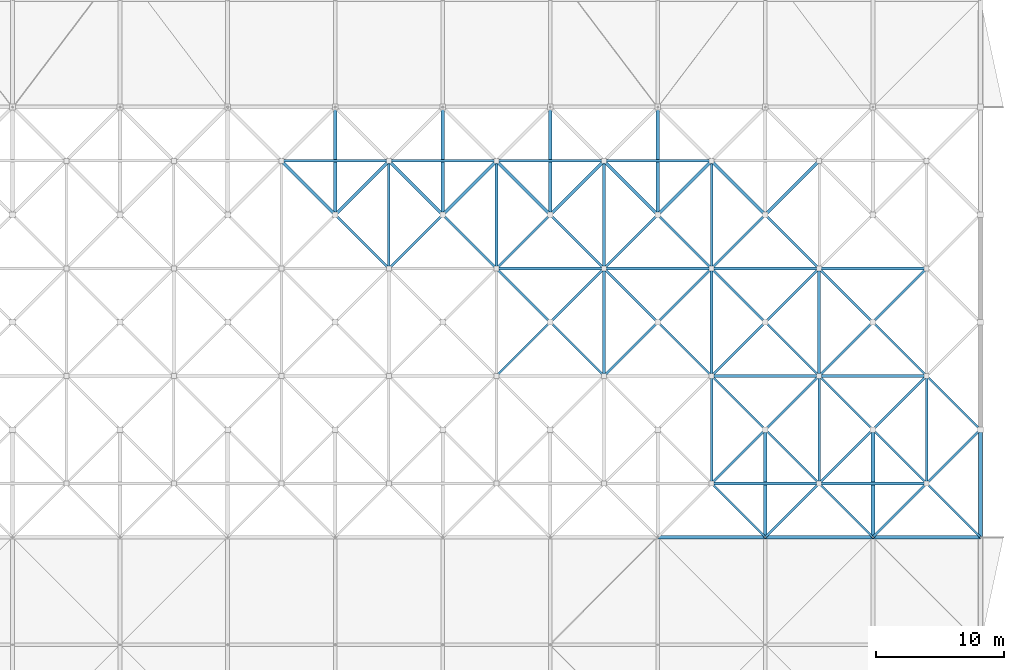
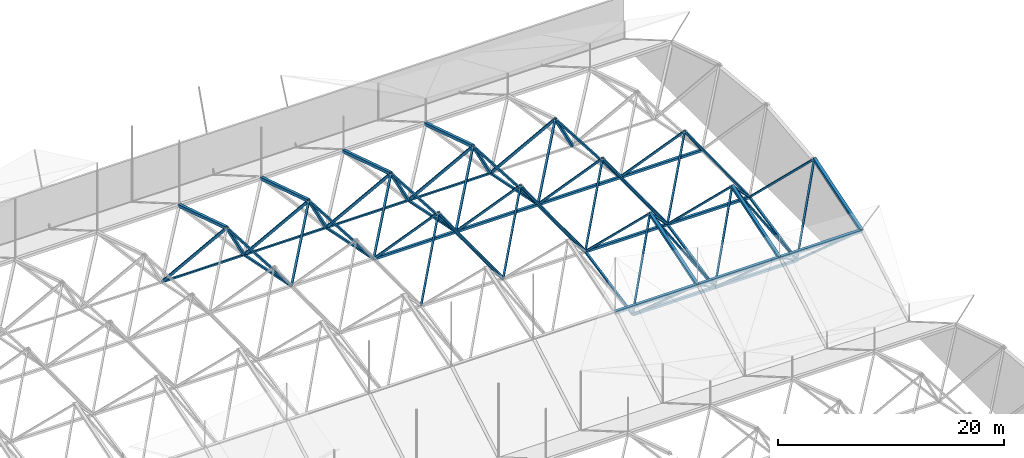
# One storey, part 15 of 111: 82 members.
"""IFC4 building model written with IfcOpenShell, lengths in metres."""

from ifc_helpers import new_model, si_unit, direction, frame, origin, origin_2d, place, context, subcontext, project, spatial, hollow_rectangle, extrude, material, material_profile, profile_set, type_object, element, save


model = new_model("IFC4")

# Units and contexts
model_context = context("Model", 3, precision=1e-05, world=origin(), true_north=direction((0.0, 1.0)))
body_context = subcontext(model_context, "Body", "Model", "MODEL_VIEW")
ifc_project = project(units=[si_unit("LENGTHUNIT", "METRE"), si_unit("AREAUNIT", "SQUARE_METRE"), si_unit("VOLUMEUNIT", "CUBIC_METRE"), si_unit("PLANEANGLEUNIT", "RADIAN"), si_unit("MASSUNIT", "GRAM", prefix="KILO")], contexts=[model_context])

# Site, building, storey
site_placement = place(None, origin())
site = spatial("IfcSite", under=ifc_project, at=site_placement, CompositionType="ELEMENT")
building_placement = place(site_placement, origin())
building = spatial("IfcBuilding", under=site, at=building_placement, Name="Rain Tree Exposition and Congress Centre", CompositionType="ELEMENT")
storey_placement = place(building_placement, frame((0.0, 0.0, 19.5)))
storey = spatial("IfcBuildingStorey", under=building, at=storey_placement, Name="RF", CompositionType="ELEMENT", Elevation=19.5)

# Members
ifc_material_1 = material(Name="Steel S355J2H", Category="steel")
ifc_material_profile_1 = material_profile(ifc_material_1, hollow_rectangle(XDim=0.175048828125, YDim=0.175048828125, WallThickness=0.006103515625, at=origin_2d()), Name="RHS 175x175x6")
ifc_profile_set_1 = profile_set([ifc_material_profile_1], Name="Steel S355J2H")
member_type_1 = type_object("IfcMemberType", Name="Steel brace member RHS 175x175x6", PredefinedType="BRACE", material=ifc_profile_set_1)
member_1_placement = place(storey_placement, frame((222.60009765625, 163.800048828125, 0.965087890625), z_axis=(0.573737145755, -0.573737145755, 0.584509516742), x_axis=(0.707106781187, 0.707106781187, 0.0)))
element("IfcMember", 1, at=member_1_placement, inside=storey, type_object=member_type_1, Name="Diagonal 865", PredefinedType="BRACE", context=body_context, shape_type="SweptSolid", body=[
    extrude(hollow_rectangle(XDim=0.175048828125, YDim=0.175048828125, WallThickness=0.006103515625, at=origin_2d()), origin(), (0.0, 0.0, 1.0), 7.3203125),
])
member_2_placement = place(storey_placement, frame((222.60009765625, 163.800048828125, 0.965087890625), z_axis=(0.459940759453, 0.459940759453, 0.759545255787), x_axis=(-0.707106781187, 0.707106781187, 0.0)))
element("IfcMember", 2, at=member_2_placement, inside=storey, type_object=member_type_1, Name="Diagonal 867", PredefinedType="BRACE", context=body_context, shape_type="SweptSolid", body=[
    extrude(hollow_rectangle(XDim=0.175048828125, YDim=0.175048828125, WallThickness=0.006103515625, at=origin_2d()), origin(), (0.0, 0.0, 1.0), 9.131591796875),
])
for number, where, z_axis, x_axis, name in (
    (3, (231.0, 163.800048828125, 0.965087890625), (-0.573737145755, -0.573737145755, 0.584509516742), (0.707106781187, -0.707106781187, 0.0), "Diagonal 870"),
    (4, (231.0, 163.800048828125, 0.965087890625), (0.573737145755, -0.573737145755, 0.584509516742), (0.707106781187, 0.707106781187, 0.0), "Diagonal 871"),
):
    element("IfcMember", number, at=place(storey_placement, frame(where, z_axis=z_axis, x_axis=x_axis)), inside=storey, type_object=member_type_1, Name=name, PredefinedType="BRACE", context=body_context, shape_type="SweptSolid", body=[
        extrude(hollow_rectangle(XDim=0.175048828125, YDim=0.175048828125, WallThickness=0.006103515625, at=origin_2d()), origin(), (0.0, 0.0, 1.0), 7.3203125),
    ])
for number, where, z_axis, x_axis, name in (
    (5, (231.0, 163.800048828125, 0.965087890625), (-0.459940759453, 0.459940759453, 0.759545255787), (-0.707106781187, -0.707106781187, 0.0), "Diagonal 872"),
    (6, (231.0, 163.800048828125, 0.965087890625), (0.459940759453, 0.459940759453, 0.759545255787), (-0.707106781187, 0.707106781187, 0.0), "Diagonal 873"),
):
    element("IfcMember", number, at=place(storey_placement, frame(where, z_axis=z_axis, x_axis=x_axis)), inside=storey, type_object=member_type_1, Name=name, PredefinedType="BRACE", context=body_context, shape_type="SweptSolid", body=[
        extrude(hollow_rectangle(XDim=0.175048828125, YDim=0.175048828125, WallThickness=0.006103515625, at=origin_2d()), origin(), (0.0, 0.0, 1.0), 9.131591796875),
    ])
member_3_placement = place(storey_placement, frame((239.39990234375, 163.800048828125, 0.965087890625), z_axis=(-0.573737145755, -0.573737145755, 0.584509516742), x_axis=(0.707106781187, -0.707106781187, 0.0)))
element("IfcMember", 7, at=member_3_placement, inside=storey, type_object=member_type_1, Name="Diagonal 876", PredefinedType="BRACE", context=body_context, shape_type="SweptSolid", body=[
    extrude(hollow_rectangle(XDim=0.175048828125, YDim=0.175048828125, WallThickness=0.006103515625, at=origin_2d()), origin(), (0.0, 0.0, 1.0), 7.3203125),
])
member_4_placement = place(storey_placement, frame((239.39990234375, 163.800048828125, 0.965087890625), z_axis=(0.573759517816, -0.573726167461, 0.584498332321), x_axis=(0.70708622964, 0.707127332136, 0.0)))
element("IfcMember", 8, at=member_4_placement, inside=storey, type_object=member_type_1, Name="Diagonal 877", PredefinedType="BRACE", context=body_context, shape_type="SweptSolid", body=[
    extrude(hollow_rectangle(XDim=0.175048828125, YDim=0.175048828125, WallThickness=0.006103515625, at=origin_2d()), origin(), (0.0, 0.0, 1.0), 7.320556640625),
])
for number, where, z_axis, x_axis, name in (
    (9, (239.39990234375, 163.800048828125, 0.965087890625), (-0.459940759453, 0.459940759453, 0.759545255787), (-0.707106781187, -0.707106781187, 0.0), "Diagonal 878"),
    (10, (239.39990234375, 163.800048828125, 0.965087890625), (0.459961839245, 0.459935103496, 0.75953591555), (-0.70708622964, 0.707127332136, 0.0), "Diagonal 879"),
):
    element("IfcMember", number, at=place(storey_placement, frame(where, z_axis=z_axis, x_axis=x_axis)), inside=storey, type_object=member_type_1, Name=name, PredefinedType="BRACE", context=body_context, shape_type="SweptSolid", body=[
        extrude(hollow_rectangle(XDim=0.175048828125, YDim=0.175048828125, WallThickness=0.006103515625, at=origin_2d()), origin(), (0.0, 0.0, 1.0), 9.131591796875),
    ])
for number, where, z_axis, x_axis, name in (
    (11, (205.800048828125, 172.199951171875, 2.68896484375), (0.494916318018, 0.494916318018, 0.714223827885), (-0.707106781187, 0.707106781187, 0.0), "Diagonal 926"),
    (12, (214.199951171875, 172.199951171875, 2.68896484375), (-0.494916318018, 0.494916318018, 0.714223827885), (-0.707106781187, -0.707106781187, 0.0), "Diagonal 931"),
    (13, (214.199951171875, 172.199951171875, 2.68896484375), (0.494916318018, 0.494916318018, 0.714223827885), (-0.707106781187, 0.707106781187, 0.0), "Diagonal 932"),
):
    element("IfcMember", number, at=place(storey_placement, frame(where, z_axis=z_axis, x_axis=x_axis)), inside=storey, type_object=member_type_1, Name=name, PredefinedType="BRACE", context=body_context, shape_type="SweptSolid", body=[
        extrude(hollow_rectangle(XDim=0.175048828125, YDim=0.175048828125, WallThickness=0.006103515625, at=origin_2d()), origin(), (0.0, 0.0, 1.0), 8.486083984375),
    ])
member_5_placement = place(storey_placement, frame((222.60009765625, 172.199951171875, 2.68896484375), z_axis=(0.531497919506, -0.531497919506, 0.65956040142), x_axis=(0.707106781187, 0.707106781187, 0.0)))
element("IfcMember", 14, at=member_5_placement, inside=storey, type_object=member_type_1, Name="Diagonal 936", PredefinedType="BRACE", context=body_context, shape_type="SweptSolid", body=[
    extrude(hollow_rectangle(XDim=0.175048828125, YDim=0.175048828125, WallThickness=0.006103515625, at=origin_2d()), origin(), (0.0, 0.0, 1.0), 7.902099609375),
])
member_6_placement = place(storey_placement, frame((222.60009765625, 172.199951171875, 2.68896484375), z_axis=(-0.494938039954, 0.494909271177, 0.714213658445), x_axis=(-0.70708622964, -0.707127332136, 0.0)))
element("IfcMember", 15, at=member_6_placement, inside=storey, type_object=member_type_1, Name="Diagonal 937", PredefinedType="BRACE", context=body_context, shape_type="SweptSolid", body=[
    extrude(hollow_rectangle(XDim=0.175048828125, YDim=0.175048828125, WallThickness=0.006103515625, at=origin_2d()), origin(), (0.0, 0.0, 1.0), 8.486328125),
])
member_7_placement = place(storey_placement, frame((222.60009765625, 172.199951171875, 2.68896484375), z_axis=(0.494916318018, 0.494916318018, 0.714223827885), x_axis=(-0.707106781187, 0.707106781187, 0.0)))
element("IfcMember", 16, at=member_7_placement, inside=storey, type_object=member_type_1, Name="Diagonal 938", PredefinedType="BRACE", context=body_context, shape_type="SweptSolid", body=[
    extrude(hollow_rectangle(XDim=0.175048828125, YDim=0.175048828125, WallThickness=0.006103515625, at=origin_2d()), origin(), (0.0, 0.0, 1.0), 8.486083984375),
])
for number, where, z_axis, x_axis, name in (
    (17, (231.0, 172.199951171875, 2.68896484375), (-0.531497919506, -0.531497919506, 0.65956040142), (0.707106781187, -0.707106781187, 0.0), "Diagonal 941"),
    (18, (231.0, 172.199951171875, 2.68896484375), (0.531497919506, -0.531497919506, 0.65956040142), (0.707106781187, 0.707106781187, 0.0), "Diagonal 942"),
):
    element("IfcMember", number, at=place(storey_placement, frame(where, z_axis=z_axis, x_axis=x_axis)), inside=storey, type_object=member_type_1, Name=name, PredefinedType="BRACE", context=body_context, shape_type="SweptSolid", body=[
        extrude(hollow_rectangle(XDim=0.175048828125, YDim=0.175048828125, WallThickness=0.006103515625, at=origin_2d()), origin(), (0.0, 0.0, 1.0), 7.902099609375),
    ])
for number, where, z_axis, x_axis, name in (
    (19, (231.0, 172.199951171875, 2.68896484375), (-0.494916318018, 0.494916318018, 0.714223827885), (-0.707106781187, -0.707106781187, 0.0), "Diagonal 943"),
    (20, (231.0, 172.199951171875, 2.68896484375), (0.494916318018, 0.494916318018, 0.714223827885), (-0.707106781187, 0.707106781187, 0.0), "Diagonal 944"),
):
    element("IfcMember", number, at=place(storey_placement, frame(where, z_axis=z_axis, x_axis=x_axis)), inside=storey, type_object=member_type_1, Name=name, PredefinedType="BRACE", context=body_context, shape_type="SweptSolid", body=[
        extrude(hollow_rectangle(XDim=0.175048828125, YDim=0.175048828125, WallThickness=0.006103515625, at=origin_2d()), origin(), (0.0, 0.0, 1.0), 8.486083984375),
    ])
member_8_placement = place(storey_placement, frame((239.39990234375, 172.199951171875, 2.68896484375), z_axis=(-0.531497919506, -0.531497919506, 0.65956040142), x_axis=(0.707106781187, -0.707106781187, 0.0)))
element("IfcMember", 21, at=member_8_placement, inside=storey, type_object=member_type_1, Name="Diagonal 947", PredefinedType="BRACE", context=body_context, shape_type="SweptSolid", body=[
    extrude(hollow_rectangle(XDim=0.175048828125, YDim=0.175048828125, WallThickness=0.006103515625, at=origin_2d()), origin(), (0.0, 0.0, 1.0), 7.902099609375),
])
member_9_placement = place(storey_placement, frame((239.39990234375, 172.199951171875, 2.68896484375), z_axis=(0.531520086899, -0.531489191753, 0.659549570747), x_axis=(0.70708622964, 0.707127332136, 0.0)))
element("IfcMember", 22, at=member_9_placement, inside=storey, type_object=member_type_1, Name="Diagonal 948", PredefinedType="BRACE", context=body_context, shape_type="SweptSolid", body=[
    extrude(hollow_rectangle(XDim=0.175048828125, YDim=0.175048828125, WallThickness=0.006103515625, at=origin_2d()), origin(), (0.0, 0.0, 1.0), 7.90234375),
])
member_10_placement = place(storey_placement, frame((239.39990234375, 172.199951171875, 2.68896484375), z_axis=(-0.494916318018, 0.494916318018, 0.714223827885), x_axis=(-0.707106781187, -0.707106781187, 0.0)))
element("IfcMember", 23, at=member_10_placement, inside=storey, type_object=member_type_1, Name="Diagonal 949", PredefinedType="BRACE", context=body_context, shape_type="SweptSolid", body=[
    extrude(hollow_rectangle(XDim=0.175048828125, YDim=0.175048828125, WallThickness=0.006103515625, at=origin_2d()), origin(), (0.0, 0.0, 1.0), 8.486083984375),
])
ifc_material_2 = material(Name="Steel S355J2H", Category="steel")
ifc_material_profile_2 = material_profile(ifc_material_2, hollow_rectangle(XDim=0.199951171875, YDim=0.199951171875, WallThickness=0.009033203125, at=origin_2d()), Name="RHS 200x200x9")
ifc_profile_set_2 = profile_set([ifc_material_profile_2], Name="Steel S355J2H")
member_type_2 = type_object("IfcMemberType", Name="Steel brace member RHS 200x200x9", PredefinedType="BRACE", material=ifc_profile_set_2)
member_11_placement = place(storey_placement, frame((197.39990234375, 180.60009765625, 2.68896484375), z_axis=(-0.531497919506, 0.531497919506, 0.65956040142), x_axis=(-0.707106781187, -0.707106781187, 0.0)))
element("IfcMember", 24, at=member_11_placement, inside=storey, type_object=member_type_2, Name="Diagonal 990", PredefinedType="BRACE", context=body_context, shape_type="SweptSolid", body=[
    extrude(hollow_rectangle(XDim=0.199951171875, YDim=0.199951171875, WallThickness=0.009033203125, at=origin_2d()), origin(), (0.0, 0.0, 1.0), 7.902099609375),
])
member_12_placement = place(storey_placement, frame((197.39990234375, 180.60009765625, 2.68896484375), z_axis=(0.531520086899, 0.531489191753, 0.659549570747), x_axis=(-0.70708622964, 0.707127332136, 0.0)))
element("IfcMember", 25, at=member_12_placement, inside=storey, type_object=member_type_2, Name="Diagonal 991", PredefinedType="BRACE", context=body_context, shape_type="SweptSolid", body=[
    extrude(hollow_rectangle(XDim=0.199951171875, YDim=0.199951171875, WallThickness=0.009033203125, at=origin_2d()), origin(), (0.0, 0.0, 1.0), 7.90234375),
])
member_13_placement = place(storey_placement, frame((205.800048828125, 180.60009765625, 2.68896484375), z_axis=(0.494909271177, -0.494938039954, 0.714213658445), x_axis=(0.707127332136, 0.70708622964, 0.0)))
element("IfcMember", 26, at=member_13_placement, inside=storey, type_object=member_type_2, Name="Diagonal 995", PredefinedType="BRACE", context=body_context, shape_type="SweptSolid", body=[
    extrude(hollow_rectangle(XDim=0.199951171875, YDim=0.199951171875, WallThickness=0.009033203125, at=origin_2d()), origin(), (0.0, 0.0, 1.0), 8.486328125),
])
for number, where, z_axis, x_axis, name in (
    (27, (205.800048828125, 180.60009765625, 2.68896484375), (-0.531497919506, 0.531497919506, 0.65956040142), (-0.707106781187, -0.707106781187, 0.0), "Diagonal 996"),
    (28, (205.800048828125, 180.60009765625, 2.68896484375), (0.531497919506, 0.531497919506, 0.65956040142), (-0.707106781187, 0.707106781187, 0.0), "Diagonal 997"),
):
    element("IfcMember", number, at=place(storey_placement, frame(where, z_axis=z_axis, x_axis=x_axis)), inside=storey, type_object=member_type_2, Name=name, PredefinedType="BRACE", context=body_context, shape_type="SweptSolid", body=[
        extrude(hollow_rectangle(XDim=0.199951171875, YDim=0.199951171875, WallThickness=0.009033203125, at=origin_2d()), origin(), (0.0, 0.0, 1.0), 7.902099609375),
    ])
for number, where, z_axis, x_axis, name in (
    (29, (214.199951171875, 180.60009765625, 2.68896484375), (-0.494909271177, -0.494938039954, 0.714213658445), (0.707127332136, -0.70708622964, 0.0), "Diagonal 1000"),
    (30, (214.199951171875, 180.60009765625, 2.68896484375), (0.494909271177, -0.494938039954, 0.714213658445), (0.707127332136, 0.70708622964, 0.0), "Diagonal 1001"),
):
    element("IfcMember", number, at=place(storey_placement, frame(where, z_axis=z_axis, x_axis=x_axis)), inside=storey, type_object=member_type_2, Name=name, PredefinedType="BRACE", context=body_context, shape_type="SweptSolid", body=[
        extrude(hollow_rectangle(XDim=0.199951171875, YDim=0.199951171875, WallThickness=0.009033203125, at=origin_2d()), origin(), (0.0, 0.0, 1.0), 8.486328125),
    ])
for number, where, z_axis, x_axis, name in (
    (31, (214.199951171875, 180.60009765625, 2.68896484375), (-0.531497919506, 0.531497919506, 0.65956040142), (-0.707106781187, -0.707106781187, 0.0), "Diagonal 1002"),
    (32, (214.199951171875, 180.60009765625, 2.68896484375), (0.531497919506, 0.531497919506, 0.65956040142), (-0.707106781187, 0.707106781187, 0.0), "Diagonal 1003"),
):
    element("IfcMember", number, at=place(storey_placement, frame(where, z_axis=z_axis, x_axis=x_axis)), inside=storey, type_object=member_type_2, Name=name, PredefinedType="BRACE", context=body_context, shape_type="SweptSolid", body=[
        extrude(hollow_rectangle(XDim=0.199951171875, YDim=0.199951171875, WallThickness=0.009033203125, at=origin_2d()), origin(), (0.0, 0.0, 1.0), 7.902099609375),
    ])
for number, where, z_axis, x_axis, name in (
    (33, (222.60009765625, 180.60009765625, 2.68896484375), (-0.494930993004, -0.494930993004, 0.71420348944), (0.707106781187, -0.707106781187, 0.0), "Diagonal 1006"),
    (34, (222.60009765625, 180.60009765625, 2.68896484375), (0.494909271177, -0.494938039954, 0.714213658445), (0.707127332136, 0.70708622964, 0.0), "Diagonal 1007"),
):
    element("IfcMember", number, at=place(storey_placement, frame(where, z_axis=z_axis, x_axis=x_axis)), inside=storey, type_object=member_type_2, Name=name, PredefinedType="BRACE", context=body_context, shape_type="SweptSolid", body=[
        extrude(hollow_rectangle(XDim=0.199951171875, YDim=0.199951171875, WallThickness=0.009033203125, at=origin_2d()), origin(), (0.0, 0.0, 1.0), 8.486328125),
    ])
member_14_placement = place(storey_placement, frame((222.60009765625, 180.60009765625, 2.68896484375), z_axis=(-0.531520086899, 0.531489191753, 0.659549570747), x_axis=(-0.70708622964, -0.707127332136, 0.0)))
element("IfcMember", 35, at=member_14_placement, inside=storey, type_object=member_type_2, Name="Diagonal 1008", PredefinedType="BRACE", context=body_context, shape_type="SweptSolid", body=[
    extrude(hollow_rectangle(XDim=0.199951171875, YDim=0.199951171875, WallThickness=0.009033203125, at=origin_2d()), origin(), (0.0, 0.0, 1.0), 7.90234375),
])
member_15_placement = place(storey_placement, frame((222.60009765625, 180.60009765625, 2.68896484375), z_axis=(0.531497919506, 0.531497919506, 0.65956040142), x_axis=(-0.707106781187, 0.707106781187, 0.0)))
element("IfcMember", 36, at=member_15_placement, inside=storey, type_object=member_type_2, Name="Diagonal 1009", PredefinedType="BRACE", context=body_context, shape_type="SweptSolid", body=[
    extrude(hollow_rectangle(XDim=0.199951171875, YDim=0.199951171875, WallThickness=0.009033203125, at=origin_2d()), origin(), (0.0, 0.0, 1.0), 7.902099609375),
])
for number, where, z_axis, x_axis, name in (
    (37, (231.0, 180.60009765625, 2.68896484375), (-0.494909271177, -0.494938039954, 0.714213658445), (0.707127332136, -0.70708622964, 0.0), "Diagonal 1012"),
    (38, (231.0, 180.60009765625, 2.68896484375), (0.494909271177, -0.494938039954, 0.714213658445), (0.707127332136, 0.70708622964, 0.0), "Diagonal 1013"),
):
    element("IfcMember", number, at=place(storey_placement, frame(where, z_axis=z_axis, x_axis=x_axis)), inside=storey, type_object=member_type_2, Name=name, PredefinedType="BRACE", context=body_context, shape_type="SweptSolid", body=[
        extrude(hollow_rectangle(XDim=0.199951171875, YDim=0.199951171875, WallThickness=0.009033203125, at=origin_2d()), origin(), (0.0, 0.0, 1.0), 8.486328125),
    ])
member_16_placement = place(storey_placement, frame((231.0, 180.60009765625, 2.68896484375), z_axis=(-0.531497919506, 0.531497919506, 0.65956040142), x_axis=(-0.707106781187, -0.707106781187, 0.0)))
element("IfcMember", 39, at=member_16_placement, inside=storey, type_object=member_type_2, Name="Diagonal 1014", PredefinedType="BRACE", context=body_context, shape_type="SweptSolid", body=[
    extrude(hollow_rectangle(XDim=0.199951171875, YDim=0.199951171875, WallThickness=0.009033203125, at=origin_2d()), origin(), (0.0, 0.0, 1.0), 7.902099609375),
])
member_17_placement = place(storey_placement, frame((239.39990234375, 180.60009765625, 2.68896484375), z_axis=(-0.494909271177, -0.494938039954, 0.714213658445), x_axis=(0.707127332136, -0.70708622964, 0.0)))
element("IfcMember", 40, at=member_17_placement, inside=storey, type_object=member_type_2, Name="Diagonal 1018", PredefinedType="BRACE", context=body_context, shape_type="SweptSolid", body=[
    extrude(hollow_rectangle(XDim=0.199951171875, YDim=0.199951171875, WallThickness=0.009033203125, at=origin_2d()), origin(), (0.0, 0.0, 1.0), 8.486328125),
])
ifc_material_3 = material(Name="Steel S355J2H", Category="steel")
ifc_material_profile_3 = material_profile(ifc_material_3, hollow_rectangle(XDim=0.25, YDim=0.25, WallThickness=0.006103515625, at=origin_2d()), Name="RHS 250x250x6")
ifc_profile_set_3 = profile_set([ifc_material_profile_3], Name="Steel S355J2H")
member_type_3 = type_object("IfcMemberType", Name="Steel brace member RHS 250x250x6", PredefinedType="BRACE", material=ifc_profile_set_3)
for number, where, z_axis, x_axis, name in (
    (41, (189.0, 189.0, 0.965087890625), (0.459940759453, -0.459940759453, 0.759545255787), (0.707106781187, 0.707106781187, 0.0), "Diagonal 1054"),
    (42, (197.39990234375, 189.0, 0.965087890625), (-0.459940759453, -0.459940759453, 0.759545255787), (0.707106781187, -0.707106781187, 0.0), "Diagonal 1059"),
    (43, (197.39990234375, 189.0, 0.965087890625), (0.459961839245, -0.459935103496, 0.75953591555), (0.70708622964, 0.707127332136, 0.0), "Diagonal 1060"),
    (44, (205.800048828125, 189.0, 0.965087890625), (-0.459940759453, -0.459940759453, 0.759545255787), (0.707106781187, -0.707106781187, 0.0), "Diagonal 1065"),
    (45, (205.800048828125, 189.0, 0.965087890625), (0.459940759453, -0.459940759453, 0.759545255787), (0.707106781187, 0.707106781187, 0.0), "Diagonal 1066"),
    (46, (214.199951171875, 189.0, 0.965087890625), (-0.459940759453, -0.459940759453, 0.759545255787), (0.707106781187, -0.707106781187, 0.0), "Diagonal 1071"),
    (47, (214.199951171875, 189.0, 0.965087890625), (0.459940759453, -0.459940759453, 0.759545255787), (0.707106781187, 0.707106781187, 0.0), "Diagonal 1072"),
    (48, (222.60009765625, 189.0, 0.965087890625), (-0.459961839245, -0.459935103496, 0.75953591555), (0.70708622964, -0.707127332136, 0.0), "Diagonal 1077"),
    (49, (222.60009765625, 189.0, 0.965087890625), (0.459940759453, -0.459940759453, 0.759545255787), (0.707106781187, 0.707106781187, 0.0), "Diagonal 1078"),
    (50, (231.0, 189.0, 0.965087890625), (-0.459940759453, -0.459940759453, 0.759545255787), (0.707106781187, -0.707106781187, 0.0), "Diagonal 1083"),
):
    element("IfcMember", number, at=place(storey_placement, frame(where, z_axis=z_axis, x_axis=x_axis)), inside=storey, type_object=member_type_3, Name=name, PredefinedType="BRACE", context=body_context, shape_type="SweptSolid", body=[
        extrude(hollow_rectangle(XDim=0.25, YDim=0.25, WallThickness=0.006103515625, at=origin_2d()), origin(), (0.0, 0.0, 1.0), 9.131591796875),
    ])
ifc_material_4 = material(Name="Steel S355J2H", Category="steel")
ifc_material_profile_4 = material_profile(ifc_material_4, hollow_rectangle(XDim=0.175048828125, YDim=0.175048828125, WallThickness=0.006103515625, at=origin_2d()), Name="RHS 175x175x6")
ifc_profile_set_4 = profile_set([ifc_material_profile_4], Name="Steel S355J2H")
member_type_4 = type_object("IfcMemberType", Name="Steel chord member RHS 175x175x6", PredefinedType="CHORD", material=ifc_profile_set_4)
member_18_placement = place(storey_placement, frame((189.0, 189.0, 0.965087890625), z_axis=(1.0, 0.0, 0.0), x_axis=(0.0, 1.0, 0.0)))
element("IfcMember", 51, at=member_18_placement, inside=storey, type_object=member_type_4, Name="Bottom chord 1057", PredefinedType="CHORD", context=body_context, shape_type="SweptSolid", body=[
    extrude(hollow_rectangle(XDim=0.175048828125, YDim=0.175048828125, WallThickness=0.006103515625, at=origin_2d()), origin(), (0.0, 0.0, 1.0), 8.39990234375),
])
member_19_placement = place(storey_placement, frame((197.39990234375, 189.0, 0.965087890625), z_axis=(1.0, 0.0, 0.0), x_axis=(0.0, 1.0, 0.0)))
element("IfcMember", 52, at=member_19_placement, inside=storey, type_object=member_type_4, Name="Bottom chord 1063", PredefinedType="CHORD", context=body_context, shape_type="SweptSolid", body=[
    extrude(hollow_rectangle(XDim=0.175048828125, YDim=0.175048828125, WallThickness=0.006103515625, at=origin_2d()), origin(), (0.0, 0.0, 1.0), 8.400146484375),
])
member_20_placement = place(storey_placement, frame((205.800048828125, 189.0, 0.965087890625), z_axis=(1.0, 0.0, 0.0), x_axis=(0.0, 1.0, 0.0)))
element("IfcMember", 53, at=member_20_placement, inside=storey, type_object=member_type_4, Name="Bottom chord 1069", PredefinedType="CHORD", context=body_context, shape_type="SweptSolid", body=[
    extrude(hollow_rectangle(XDim=0.175048828125, YDim=0.175048828125, WallThickness=0.006103515625, at=origin_2d()), origin(), (0.0, 0.0, 1.0), 8.39990234375),
])
member_21_placement = place(storey_placement, frame((214.199951171875, 189.0, 0.965087890625), z_axis=(1.0, 0.0, 0.0), x_axis=(0.0, 1.0, 0.0)))
element("IfcMember", 54, at=member_21_placement, inside=storey, type_object=member_type_4, Name="Bottom chord 1075", PredefinedType="CHORD", context=body_context, shape_type="SweptSolid", body=[
    extrude(hollow_rectangle(XDim=0.175048828125, YDim=0.175048828125, WallThickness=0.006103515625, at=origin_2d()), origin(), (0.0, 0.0, 1.0), 8.400146484375),
])
ifc_material_5 = material(Name="Steel S355J2H", Category="steel")
ifc_material_profile_5 = material_profile(ifc_material_5, hollow_rectangle(XDim=0.199951171875, YDim=0.199951171875, WallThickness=0.009033203125, at=origin_2d()), Name="RHS 200x200x9")
ifc_profile_set_5 = profile_set([ifc_material_profile_5], Name="Steel S355J2H")
member_type_5 = type_object("IfcMemberType", Name="Steel chord member RHS 200x200x9", PredefinedType="CHORD", material=ifc_profile_set_5)
for number, where, z_axis, x_axis, name in (
    (55, (222.60009765625, 163.800048828125, 0.965087890625), (0.0, 0.979583871149, 0.20103591566), (-1.0, 0.0, 0.0), "Bottom chord 869"),
    (56, (231.0, 163.800048828125, 0.965087890625), (0.0, 0.979583871149, 0.20103591566), (-1.0, 0.0, 0.0), "Bottom chord 875"),
    (57, (239.39990234375, 163.800048828125, 0.965087890625), (0.0, 0.979583871149, 0.20103591566), (-1.0, 0.0, 0.0), "Bottom chord 880"),
    (58, (197.39990234375, 180.60009765625, 2.68896484375), (0.0, 0.979583871149, -0.20103591566), (-1.0, 0.0, 0.0), "Bottom chord 993"),
    (59, (205.800048828125, 180.60009765625, 2.68896484375), (0.0, 0.979583871149, -0.20103591566), (-1.0, 0.0, 0.0), "Bottom chord 999"),
    (60, (214.199951171875, 180.60009765625, 2.68896484375), (0.0, 0.979583871149, -0.20103591566), (-1.0, 0.0, 0.0), "Bottom chord 1005"),
    (61, (222.60009765625, 180.60009765625, 2.68896484375), (0.0, 0.979583871149, -0.20103591566), (-1.0, 0.0, 0.0), "Bottom chord 1011"),
):
    element("IfcMember", number, at=place(storey_placement, frame(where, z_axis=z_axis, x_axis=x_axis)), inside=storey, type_object=member_type_5, Name=name, PredefinedType="CHORD", context=body_context, shape_type="SweptSolid", body=[
        extrude(hollow_rectangle(XDim=0.199951171875, YDim=0.199951171875, WallThickness=0.009033203125, at=origin_2d()), origin(), (0.0, 0.0, 1.0), 8.574951171875),
    ])
ifc_material_6 = material(Name="Steel S355J2H", Category="steel")
ifc_material_profile_6 = material_profile(ifc_material_6, hollow_rectangle(XDim=0.25, YDim=0.25, WallThickness=0.006103515625, at=origin_2d()), Name="RHS 250x250x6")
ifc_profile_set_6 = profile_set([ifc_material_profile_6], Name="Steel S355J2H")
member_type_6 = type_object("IfcMemberType", Name="Steel chord member RHS 250x250x6", PredefinedType="CHORD", material=ifc_profile_set_6)
for number, where, z_axis, x_axis, name in (
    (62, (222.60009765625, 163.800048828125, 0.965087890625), (1.0, 0.0, 0.0), (0.0, 1.0, 0.0), "Bottom chord 868"),
    (63, (231.0, 163.800048828125, 0.965087890625), (1.0, 0.0, 0.0), (0.0, 1.0, 0.0), "Bottom chord 874"),
):
    element("IfcMember", number, at=place(storey_placement, frame(where, z_axis=z_axis, x_axis=x_axis)), inside=storey, type_object=member_type_6, Name=name, PredefinedType="CHORD", context=body_context, shape_type="SweptSolid", body=[
        extrude(hollow_rectangle(XDim=0.25, YDim=0.25, WallThickness=0.006103515625, at=origin_2d()), origin(), (0.0, 0.0, 1.0), 8.39990234375),
    ])
member_22_placement = place(storey_placement, frame((214.199951171875, 172.199951171875, 2.68896484375), z_axis=(0.0, 1.0, 0.0), x_axis=(-1.0, 0.0, 0.0)))
element("IfcMember", 64, at=member_22_placement, inside=storey, type_object=member_type_6, Name="Bottom chord 934", PredefinedType="CHORD", context=body_context, shape_type="SweptSolid", body=[
    extrude(hollow_rectangle(XDim=0.25, YDim=0.25, WallThickness=0.006103515625, at=origin_2d()), origin(), (0.0, 0.0, 1.0), 8.400146484375),
])
member_23_placement = place(storey_placement, frame((222.60009765625, 172.199951171875, 2.68896484375), z_axis=(1.0, 0.0, 0.0), x_axis=(0.0, 1.0, 0.0)))
element("IfcMember", 65, at=member_23_placement, inside=storey, type_object=member_type_6, Name="Bottom chord 939", PredefinedType="CHORD", context=body_context, shape_type="SweptSolid", body=[
    extrude(hollow_rectangle(XDim=0.25, YDim=0.25, WallThickness=0.006103515625, at=origin_2d()), origin(), (0.0, 0.0, 1.0), 8.39990234375),
])
member_24_placement = place(storey_placement, frame((222.60009765625, 172.199951171875, 2.68896484375), z_axis=(0.0, 1.0, 0.0), x_axis=(-1.0, 0.0, 0.0)))
element("IfcMember", 66, at=member_24_placement, inside=storey, type_object=member_type_6, Name="Bottom chord 940", PredefinedType="CHORD", context=body_context, shape_type="SweptSolid", body=[
    extrude(hollow_rectangle(XDim=0.25, YDim=0.25, WallThickness=0.006103515625, at=origin_2d()), origin(), (0.0, 0.0, 1.0), 8.400146484375),
])
member_25_placement = place(storey_placement, frame((231.0, 172.199951171875, 2.68896484375), z_axis=(1.0, 0.0, 0.0), x_axis=(0.0, 1.0, 0.0)))
element("IfcMember", 67, at=member_25_placement, inside=storey, type_object=member_type_6, Name="Bottom chord 945", PredefinedType="CHORD", context=body_context, shape_type="SweptSolid", body=[
    extrude(hollow_rectangle(XDim=0.25, YDim=0.25, WallThickness=0.006103515625, at=origin_2d()), origin(), (0.0, 0.0, 1.0), 8.39990234375),
])
member_26_placement = place(storey_placement, frame((231.0, 172.199951171875, 2.68896484375), z_axis=(0.0, 1.0, 0.0), x_axis=(-1.0, 0.0, 0.0)))
element("IfcMember", 68, at=member_26_placement, inside=storey, type_object=member_type_6, Name="Bottom chord 946", PredefinedType="CHORD", context=body_context, shape_type="SweptSolid", body=[
    extrude(hollow_rectangle(XDim=0.25, YDim=0.25, WallThickness=0.006103515625, at=origin_2d()), origin(), (0.0, 0.0, 1.0), 8.400146484375),
])
member_27_placement = place(storey_placement, frame((205.800048828125, 180.60009765625, 2.68896484375), z_axis=(1.0, 0.0, 0.0), x_axis=(0.0, 1.0, 0.0)))
element("IfcMember", 69, at=member_27_placement, inside=storey, type_object=member_type_6, Name="Bottom chord 998", PredefinedType="CHORD", context=body_context, shape_type="SweptSolid", body=[
    extrude(hollow_rectangle(XDim=0.25, YDim=0.25, WallThickness=0.006103515625, at=origin_2d()), origin(), (0.0, 0.0, 1.0), 8.39990234375),
])
member_28_placement = place(storey_placement, frame((214.199951171875, 180.60009765625, 2.68896484375), z_axis=(1.0, 0.0, 0.0), x_axis=(0.0, 1.0, 0.0)))
element("IfcMember", 70, at=member_28_placement, inside=storey, type_object=member_type_6, Name="Bottom chord 1004", PredefinedType="CHORD", context=body_context, shape_type="SweptSolid", body=[
    extrude(hollow_rectangle(XDim=0.25, YDim=0.25, WallThickness=0.006103515625, at=origin_2d()), origin(), (0.0, 0.0, 1.0), 8.400146484375),
])
for number, where, z_axis, x_axis, name in (
    (71, (222.60009765625, 180.60009765625, 2.68896484375), (1.0, 0.0, 0.0), (0.0, 1.0, 0.0), "Bottom chord 1010"),
    (72, (231.0, 180.60009765625, 2.68896484375), (1.0, 0.0, 0.0), (0.0, 1.0, 0.0), "Bottom chord 1016"),
):
    element("IfcMember", number, at=place(storey_placement, frame(where, z_axis=z_axis, x_axis=x_axis)), inside=storey, type_object=member_type_6, Name=name, PredefinedType="CHORD", context=body_context, shape_type="SweptSolid", body=[
        extrude(hollow_rectangle(XDim=0.25, YDim=0.25, WallThickness=0.006103515625, at=origin_2d()), origin(), (0.0, 0.0, 1.0), 8.39990234375),
    ])
ifc_material_7 = material(Name="Steel S355J2H", Category="steel")
ifc_material_profile_7 = material_profile(ifc_material_7, hollow_rectangle(XDim=0.300048828125, YDim=0.300048828125, WallThickness=0.009033203125, at=origin_2d()), Name="RHS 300x300x9")
ifc_profile_set_7 = profile_set([ifc_material_profile_7], Name="Steel S355J2H")
member_type_7 = type_object("IfcMemberType", Name="Steel chord member RHS 300x300x9", PredefinedType="CHORD", material=ifc_profile_set_7)
member_29_placement = place(storey_placement, frame((218.39990234375, 159.60009765625, 5.243896484375), z_axis=(1.0, 0.0, 0.0), x_axis=(0.0, 1.0, 0.0)))
element("IfcMember", 73, at=member_29_placement, inside=storey, type_object=member_type_7, Name="Top chord 94", PredefinedType="CHORD", context=body_context, shape_type="SweptSolid", body=[
    extrude(hollow_rectangle(XDim=0.300048828125, YDim=0.300048828125, WallThickness=0.009033203125, at=origin_2d()), origin(), (0.0, 0.0, 1.0), 8.400146484375),
])
member_30_placement = place(storey_placement, frame((226.800048828125, 159.60009765625, 5.243896484375), z_axis=(1.0, 0.0, 0.0), x_axis=(0.0, 1.0, 0.0)))
element("IfcMember", 74, at=member_30_placement, inside=storey, type_object=member_type_7, Name="Top chord 95", PredefinedType="CHORD", context=body_context, shape_type="SweptSolid", body=[
    extrude(hollow_rectangle(XDim=0.300048828125, YDim=0.300048828125, WallThickness=0.009033203125, at=origin_2d()), origin(), (0.0, 0.0, 1.0), 8.39990234375),
])
member_31_placement = place(storey_placement, frame((235.199951171875, 159.60009765625, 5.243896484375), z_axis=(1.0, 0.0, 0.0), x_axis=(0.0, 1.0, 0.0)))
element("IfcMember", 75, at=member_31_placement, inside=storey, type_object=member_type_7, Name="Top chord 96", PredefinedType="CHORD", context=body_context, shape_type="SweptSolid", body=[
    extrude(hollow_rectangle(XDim=0.300048828125, YDim=0.300048828125, WallThickness=0.009033203125, at=origin_2d()), origin(), (0.0, 0.0, 1.0), 8.400146484375),
])
for number, where, z_axis, x_axis, name in (
    (76, (193.199951171875, 184.800048828125, 7.90087890625), (0.0, 0.953439742772, -0.301583581951), (-1.0, 0.0, 0.0), "Top chord 239"),
    (77, (201.60009765625, 184.800048828125, 7.90087890625), (0.0, 0.953439742772, -0.301583581951), (-1.0, 0.0, 0.0), "Top chord 251"),
    (78, (210.0, 184.800048828125, 7.90087890625), (0.0, 0.953439742772, -0.301583581951), (-1.0, 0.0, 0.0), "Top chord 263"),
    (79, (218.39990234375, 184.800048828125, 7.90087890625), (0.0, 0.953439742772, -0.301583581951), (-1.0, 0.0, 0.0), "Top chord 275"),
    (80, (226.800048828125, 159.60009765625, 5.243896484375), (0.0, 0.953439742772, 0.301583581951), (-1.0, 0.0, 0.0), "Top chord 284"),
    (81, (235.199951171875, 159.60009765625, 5.243896484375), (0.0, 0.953439742772, 0.301583581951), (-1.0, 0.0, 0.0), "Top chord 296"),
    (82, (243.60009765625, 159.60009765625, 5.243896484375), (0.0, 0.953439742772, 0.301583581951), (-1.0, 0.0, 0.0), "Top chord 308"),
):
    element("IfcMember", number, at=place(storey_placement, frame(where, z_axis=z_axis, x_axis=x_axis)), inside=storey, type_object=member_type_7, Name=name, PredefinedType="CHORD", context=body_context, shape_type="SweptSolid", body=[
        extrude(hollow_rectangle(XDim=0.300048828125, YDim=0.300048828125, WallThickness=0.009033203125, at=origin_2d()), origin(), (0.0, 0.0, 1.0), 8.81005859375),
    ])

save(model, "model.ifc")
